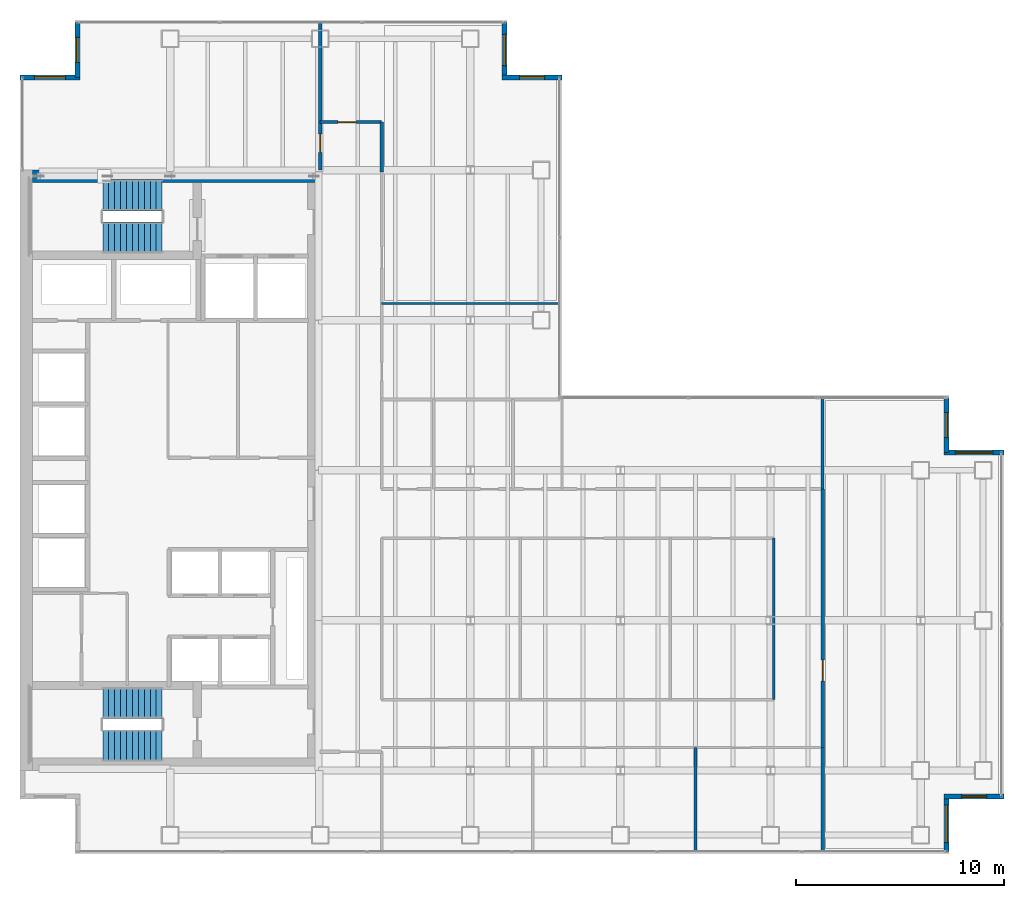
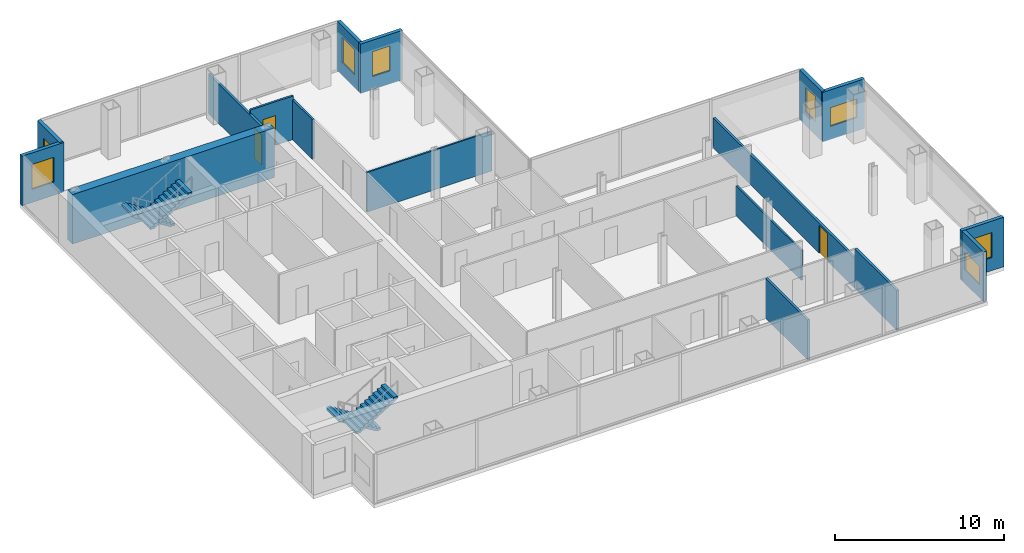
# One storey, part 22 of 24: 18 walls, 8 windows, 4 stair flights, 3 doors, 11 openings, 2 elements without a shape of their own.
"""IFC4 building model written with IfcOpenShell, lengths in metres."""

from ifc_helpers import new_model, si_unit, direction, frame, frame_2d, origin, place, context, subcontext, project, spatial, polyline, rectangle, outline, extrude, material, layer, layer_set, type_object, element, fill, aggregate, save


model = new_model("IFC4")

# Units and contexts
model_context = context("Model", 3, precision=1e-05, world=origin(), true_north=direction((0.0, 1.0)))
body_context = subcontext(model_context, "Body", "Model", "MODEL_VIEW")
ifc_project = project(units=[si_unit("LENGTHUNIT", "METRE"), si_unit("AREAUNIT", "SQUARE_METRE"), si_unit("VOLUMEUNIT", "CUBIC_METRE"), si_unit("PLANEANGLEUNIT", "RADIAN"), si_unit("MASSUNIT", "GRAM", prefix="KILO")], contexts=[model_context])

# Site, building, storey
site_placement = place(None, origin())
site = spatial("IfcSite", under=ifc_project, at=site_placement, CompositionType="ELEMENT")
building_placement = place(site_placement, origin())
building = spatial("IfcBuilding", under=site, at=building_placement, Name="Cobrela Telecom Tower", CompositionType="ELEMENT")
storey_placement = place(building_placement, frame((0.0, 0.0, 152.25)))
storey = spatial("IfcBuildingStorey", under=building, at=storey_placement, Name="L38", CompositionType="ELEMENT", Elevation=152.25)

# Wall
ifc_material_1 = material(Name="Concrete C50/60", Category="concrete")
ifc_layer_1 = layer(ifc_material_1, 0.60009765625)
ifc_layer_set_1 = layer_set([ifc_layer_1], Name="Concrete C50/60")
wall_type_1 = type_object("IfcWallType", Name="WALL-CORE-C50-600", PredefinedType="SHEAR", material=ifc_layer_set_1)
wall_1_placement = place(storey_placement, frame((0.60009765625, 35.699951171875, 0.0), z_axis=(0.0, 0.0, 1.0), x_axis=(1.0, 0.0, 0.0)))
element("IfcWall", 1, at=wall_1_placement, inside=storey, type_object=wall_type_1, Name="L38 North Core Shear Wall", PredefinedType="SHEAR", context=body_context, shape_type="SweptSolid", body=[
    extrude(rectangle(XDim=13.7998046875, YDim=0.60009765625, at=frame_2d((6.89990234375, 0.0))), origin(), (0.0, 0.0, 1.0), 3.580078125),
])

# Wall, opening, window
ifc_material_2 = material(Name="Concrete C40/50", Category="concrete")
ifc_layer_2 = layer(ifc_material_2, 0.239990234375)
ifc_layer_set_2 = layer_set([ifc_layer_2], Name="Concrete C40/50")
wall_type_2 = type_object("IfcWallType", Name="WALL-EXT-300", PredefinedType="STANDARD", material=ifc_layer_set_2)
wall_2_placement = place(storey_placement, frame((0.0, 40.449951171875, 0.0), z_axis=(0.0, 0.0, 1.0), x_axis=(1.0, 0.0, 0.0)))
wall_2 = element("IfcWall", 2, at=wall_2_placement, inside=storey, type_object=wall_type_2, Name="L38 Insulated Facade Wall 05", PredefinedType="STANDARD", context=body_context, shape_type="SweptSolid", body=[
    extrude(rectangle(XDim=2.8701171875, YDim=0.239990234375, at=frame_2d((1.43505859375, 0.0))), origin(), (0.0, 0.0, 1.0), 3.580078125),
])
opening_1_placement = place(wall_2_placement, frame((0.68505859375, 0.0, 0.949951171875)))
opening_1 = element("IfcOpeningElement", 3, at=opening_1_placement, cuts=wall_2, Name="Opening WN-45", PredefinedType="OPENING", context=body_context, shape_type="SweptSolid", body=[
    extrude(rectangle(XDim=1.5, YDim=1.800048828125, at=frame_2d((0.75, 0.89990234375))), frame((0.0, 0.1318359375, 0.0), z_axis=(0.0, -1.0, 0.0), x_axis=(1.0, 0.0, 0.0)), (0.0, 0.0, 1.0), 0.263916015625),
])
ifc_material_3 = material(Name="Solar-Control Bronze Low-E Glass", Category="glass")
window_type_1 = type_object("IfcWindowType", Name="WIN-MOD-1500", PartitioningType="SINGLE_PANEL", PredefinedType="WINDOW", material=ifc_material_3)
window_1_placement = place(opening_1_placement, origin())
window_1 = element("IfcWindow", 4, at=window_1_placement, inside=storey, type_object=window_type_1, Name="L38 Corner Notch Facade Window 182", OverallHeight=1.800048828125, OverallWidth=1.5, PartitioningType="SINGLE_PANEL", PredefinedType="WINDOW", context=body_context, shape_type="SweptSolid", body=[
    extrude(rectangle(XDim=1.5, YDim=1.800048828125, at=frame_2d((0.75, 0.89990234375))), frame((0.0, 0.030029296875, 0.0), z_axis=(0.0, -1.0, 0.0), x_axis=(1.0, 0.0, 0.0)), (0.0, 0.0, 1.0), 0.06005859375),
])
fill(opening_1, window_1)

wall_3_placement = place(storey_placement, frame((2.75, 40.449951171875, 0.0), z_axis=(0.0, 0.0, 1.0), x_axis=(0.0, 1.0, 0.0)))
wall_3 = element("IfcWall", 5, at=wall_3_placement, inside=storey, type_object=wall_type_2, Name="L38 Insulated Facade Wall 06", PredefinedType="STANDARD", context=body_context, shape_type="SweptSolid", body=[
    extrude(rectangle(XDim=2.630126953125, YDim=0.239990234375, at=frame_2d((1.31494140625, 0.0))), origin(), (0.0, 0.0, 1.0), 3.580078125),
])
opening_2_placement = place(wall_3_placement, frame((0.715087890625, 0.0, 0.949951171875)))
opening_2 = element("IfcOpeningElement", 6, at=opening_2_placement, cuts=wall_3, Name="Opening WN-19", PredefinedType="OPENING", context=body_context, shape_type="SweptSolid", body=[
    extrude(rectangle(XDim=1.199951171875, YDim=1.800048828125, at=frame_2d((0.60009765625, 0.89990234375))), frame((0.0, 0.1318359375, 0.0), z_axis=(0.0, -1.0, 0.0), x_axis=(1.0, 0.0, 0.0)), (0.0, 0.0, 1.0), 0.263916015625),
])
window_type_2 = type_object("IfcWindowType", Name="WIN-MOD-1200", PartitioningType="SINGLE_PANEL", PredefinedType="WINDOW", material=ifc_material_3)
window_2_placement = place(opening_2_placement, origin())
window_2 = element("IfcWindow", 7, at=window_2_placement, inside=storey, type_object=window_type_2, Name="L38 Corner Notch Facade Window 183", OverallHeight=1.800048828125, OverallWidth=1.199951171875, PartitioningType="SINGLE_PANEL", PredefinedType="WINDOW", context=body_context, shape_type="SweptSolid", body=[
    extrude(rectangle(XDim=1.199951171875, YDim=1.800048828125, at=frame_2d((0.60009765625, 0.89990234375))), frame((0.0, 0.030029296875, 0.0), z_axis=(0.0, -1.0, 0.0), x_axis=(1.0, 0.0, 0.0)), (0.0, 0.0, 1.0), 0.06005859375),
])
fill(opening_2, window_2)

wall_4_placement = place(storey_placement, frame((23.25, 43.080078125, 0.0), z_axis=(0.0, 0.0, 1.0), x_axis=(0.0, -1.0, 0.0)))
wall_4 = element("IfcWall", 8, at=wall_4_placement, inside=storey, type_object=wall_type_2, Name="L38 Insulated Facade Wall 08", PredefinedType="STANDARD", context=body_context, shape_type="SweptSolid", body=[
    extrude(rectangle(XDim=2.630126953125, YDim=0.239990234375, at=frame_2d((1.31494140625, 0.0))), origin(), (0.0, 0.0, 1.0), 3.580078125),
])
opening_3_placement = place(wall_4_placement, frame((0.56494140625, 0.0, 0.949951171875)))
opening_3 = element("IfcOpeningElement", 9, at=opening_3_placement, cuts=wall_4, Name="Opening WN-45", PredefinedType="OPENING", context=body_context, shape_type="SweptSolid", body=[
    extrude(rectangle(XDim=1.5, YDim=1.800048828125, at=frame_2d((0.75, 0.89990234375))), frame((0.0, 0.1318359375, 0.0), z_axis=(0.0, -1.0, 0.0), x_axis=(1.0, 0.0, 0.0)), (0.0, 0.0, 1.0), 0.263916015625),
])
window_3_placement = place(opening_3_placement, origin())
window_3 = element("IfcWindow", 10, at=window_3_placement, inside=storey, type_object=window_type_1, Name="L38 Corner Notch Facade Window 184", OverallHeight=1.800048828125, OverallWidth=1.5, PartitioningType="SINGLE_PANEL", PredefinedType="WINDOW", context=body_context, shape_type="SweptSolid", body=[
    extrude(rectangle(XDim=1.5, YDim=1.800048828125, at=frame_2d((0.75, 0.89990234375))), frame((0.0, 0.030029296875, 0.0), z_axis=(0.0, -1.0, 0.0), x_axis=(1.0, 0.0, 0.0)), (0.0, 0.0, 1.0), 0.06005859375),
])
fill(opening_3, window_3)

wall_5_placement = place(storey_placement, frame((23.1298828125, 40.449951171875, 0.0), z_axis=(0.0, 0.0, 1.0), x_axis=(1.0, 0.0, 0.0)))
wall_5 = element("IfcWall", 11, at=wall_5_placement, inside=storey, type_object=wall_type_2, Name="L38 Insulated Facade Wall 09", PredefinedType="STANDARD", context=body_context, shape_type="SweptSolid", body=[
    extrude(rectangle(XDim=2.8701171875, YDim=0.239990234375, at=frame_2d((1.43505859375, 0.0))), origin(), (0.0, 0.0, 1.0), 3.580078125),
])
opening_4_placement = place(wall_5_placement, frame((0.8349609375, 0.0, 0.949951171875)))
opening_4 = element("IfcOpeningElement", 12, at=opening_4_placement, cuts=wall_5, Name="Opening WN-19", PredefinedType="OPENING", context=body_context, shape_type="SweptSolid", body=[
    extrude(rectangle(XDim=1.199951171875, YDim=1.800048828125, at=frame_2d((0.60009765625, 0.89990234375))), frame((0.0, 0.1318359375, 0.0), z_axis=(0.0, -1.0, 0.0), x_axis=(1.0, 0.0, 0.0)), (0.0, 0.0, 1.0), 0.263916015625),
])
window_4_placement = place(opening_4_placement, origin())
window_4 = element("IfcWindow", 13, at=window_4_placement, inside=storey, type_object=window_type_2, Name="L38 Corner Notch Facade Window 185", OverallHeight=1.800048828125, OverallWidth=1.199951171875, PartitioningType="SINGLE_PANEL", PredefinedType="WINDOW", context=body_context, shape_type="SweptSolid", body=[
    extrude(rectangle(XDim=1.199951171875, YDim=1.800048828125, at=frame_2d((0.60009765625, 0.89990234375))), frame((0.0, 0.030029296875, 0.0), z_axis=(0.0, -1.0, 0.0), x_axis=(1.0, 0.0, 0.0)), (0.0, 0.0, 1.0), 0.06005859375),
])
fill(opening_4, window_4)

wall_6_placement = place(storey_placement, frame((44.449951171875, 25.080078125, 0.0), z_axis=(0.0, 0.0, 1.0), x_axis=(0.0, -1.0, 0.0)))
wall_6 = element("IfcWall", 14, at=wall_6_placement, inside=storey, type_object=wall_type_2, Name="L38 Insulated Facade Wall 12", PredefinedType="STANDARD", context=body_context, shape_type="SweptSolid", body=[
    extrude(rectangle(XDim=2.630126953125, YDim=0.239990234375, at=frame_2d((1.31494140625, 0.0))), origin(), (0.0, 0.0, 1.0), 3.580078125),
])
opening_5_placement = place(wall_6_placement, frame((0.715087890625, 0.0, 0.949951171875)))
opening_5 = element("IfcOpeningElement", 15, at=opening_5_placement, cuts=wall_6, Name="Opening WN-19", PredefinedType="OPENING", context=body_context, shape_type="SweptSolid", body=[
    extrude(rectangle(XDim=1.199951171875, YDim=1.800048828125, at=frame_2d((0.60009765625, 0.89990234375))), frame((0.0, 0.1318359375, 0.0), z_axis=(0.0, -1.0, 0.0), x_axis=(1.0, 0.0, 0.0)), (0.0, 0.0, 1.0), 0.263916015625),
])
window_5_placement = place(opening_5_placement, origin())
window_5 = element("IfcWindow", 16, at=window_5_placement, inside=storey, type_object=window_type_2, Name="L38 Corner Notch Facade Window 186", OverallHeight=1.800048828125, OverallWidth=1.199951171875, PartitioningType="SINGLE_PANEL", PredefinedType="WINDOW", context=body_context, shape_type="SweptSolid", body=[
    extrude(rectangle(XDim=1.199951171875, YDim=1.800048828125, at=frame_2d((0.60009765625, 0.89990234375))), frame((0.0, 0.030029296875, 0.0), z_axis=(0.0, -1.0, 0.0), x_axis=(1.0, 0.0, 0.0)), (0.0, 0.0, 1.0), 0.06005859375),
])
fill(opening_5, window_5)

wall_7_placement = place(storey_placement, frame((44.330078125, 22.449951171875, 0.0), z_axis=(0.0, 0.0, 1.0), x_axis=(1.0, 0.0, 0.0)))
wall_7 = element("IfcWall", 17, at=wall_7_placement, inside=storey, type_object=wall_type_2, Name="L38 Insulated Facade Wall 13", PredefinedType="STANDARD", context=body_context, shape_type="SweptSolid", body=[
    extrude(rectangle(XDim=2.869873046875, YDim=0.239990234375, at=frame_2d((1.43505859375, 0.0))), origin(), (0.0, 0.0, 1.0), 3.580078125),
])
opening_6_placement = place(wall_7_placement, frame((0.534912109375, 0.0, 0.949951171875)))
opening_6 = element("IfcOpeningElement", 18, at=opening_6_placement, cuts=wall_7, Name="Opening WN-27", PredefinedType="OPENING", context=body_context, shape_type="SweptSolid", body=[
    extrude(rectangle(XDim=1.800048828125, YDim=1.35009765625, at=frame_2d((0.89990234375, 0.675048828125))), frame((0.0, 0.1318359375, 0.0), z_axis=(0.0, -1.0, 0.0), x_axis=(1.0, 0.0, 0.0)), (0.0, 0.0, 1.0), 0.263916015625),
])
window_type_3 = type_object("IfcWindowType", Name="WIN-CLER-1800", PartitioningType="SINGLE_PANEL", PredefinedType="WINDOW", material=ifc_material_3)
window_6_placement = place(opening_6_placement, origin())
window_6 = element("IfcWindow", 19, at=window_6_placement, inside=storey, type_object=window_type_3, Name="L38 Corner Notch Facade Window 187", OverallHeight=1.35009765625, OverallWidth=1.800048828125, PartitioningType="SINGLE_PANEL", PredefinedType="WINDOW", context=body_context, shape_type="SweptSolid", body=[
    extrude(rectangle(XDim=1.800048828125, YDim=1.35009765625, at=frame_2d((0.89990234375, 0.675048828125))), frame((0.0, 0.030029296875, 0.0), z_axis=(0.0, -1.0, 0.0), x_axis=(1.0, 0.0, 0.0)), (0.0, 0.0, 1.0), 0.06005859375),
])
fill(opening_6, window_6)

wall_8_placement = place(storey_placement, frame((47.199951171875, 5.949951171875, 0.0), z_axis=(0.0, 0.0, 1.0), x_axis=(-1.0, 0.0, 0.0)))
wall_8 = element("IfcWall", 20, at=wall_8_placement, inside=storey, type_object=wall_type_2, Name="L38 Insulated Facade Wall 15", PredefinedType="STANDARD", context=body_context, shape_type="SweptSolid", body=[
    extrude(rectangle(XDim=2.869873046875, YDim=0.239990234375, at=frame_2d((1.43505859375, 0.0))), origin(), (0.0, 0.0, 1.0), 3.580078125),
])
opening_7_placement = place(wall_8_placement, frame((0.8349609375, 0.0, 0.949951171875)))
opening_7 = element("IfcOpeningElement", 21, at=opening_7_placement, cuts=wall_8, Name="Opening WN-19", PredefinedType="OPENING", context=body_context, shape_type="SweptSolid", body=[
    extrude(rectangle(XDim=1.199951171875, YDim=1.800048828125, at=frame_2d((0.60009765625, 0.89990234375))), frame((0.0, 0.1318359375, 0.0), z_axis=(0.0, -1.0, 0.0), x_axis=(1.0, 0.0, 0.0)), (0.0, 0.0, 1.0), 0.263916015625),
])
window_7_placement = place(opening_7_placement, origin())
window_7 = element("IfcWindow", 22, at=window_7_placement, inside=storey, type_object=window_type_2, Name="L38 Corner Notch Facade Window 188", OverallHeight=1.800048828125, OverallWidth=1.199951171875, PartitioningType="SINGLE_PANEL", PredefinedType="WINDOW", context=body_context, shape_type="SweptSolid", body=[
    extrude(rectangle(XDim=1.199951171875, YDim=1.800048828125, at=frame_2d((0.60009765625, 0.89990234375))), frame((0.0, 0.030029296875, 0.0), z_axis=(0.0, -1.0, 0.0), x_axis=(1.0, 0.0, 0.0)), (0.0, 0.0, 1.0), 0.06005859375),
])
fill(opening_7, window_7)

wall_9_placement = place(storey_placement, frame((44.449951171875, 5.949951171875, 0.0), z_axis=(0.0, 0.0, 1.0), x_axis=(0.0, -1.0, 0.0)))
wall_9 = element("IfcWall", 23, at=wall_9_placement, inside=storey, type_object=wall_type_2, Name="L38 Insulated Facade Wall 16", PredefinedType="STANDARD", context=body_context, shape_type="SweptSolid", body=[
    extrude(rectangle(XDim=2.6298828125, YDim=0.239990234375, at=frame_2d((1.31494140625, 0.0))), origin(), (0.0, 0.0, 1.0), 3.580078125),
])
opening_8_placement = place(wall_9_placement, frame((0.4150390625, 0.0, 0.949951171875)))
opening_8 = element("IfcOpeningElement", 24, at=opening_8_placement, cuts=wall_9, Name="Opening WN-27", PredefinedType="OPENING", context=body_context, shape_type="SweptSolid", body=[
    extrude(rectangle(XDim=1.800048828125, YDim=1.35009765625, at=frame_2d((0.89990234375, 0.675048828125))), frame((0.0, 0.1318359375, 0.0), z_axis=(0.0, -1.0, 0.0), x_axis=(1.0, 0.0, 0.0)), (0.0, 0.0, 1.0), 0.263916015625),
])
window_8_placement = place(opening_8_placement, origin())
window_8 = element("IfcWindow", 25, at=window_8_placement, inside=storey, type_object=window_type_3, Name="L38 Corner Notch Facade Window 189", OverallHeight=1.35009765625, OverallWidth=1.800048828125, PartitioningType="SINGLE_PANEL", PredefinedType="WINDOW", context=body_context, shape_type="SweptSolid", body=[
    extrude(rectangle(XDim=1.800048828125, YDim=1.35009765625, at=frame_2d((0.89990234375, 0.675048828125))), frame((0.0, 0.030029296875, 0.0), z_axis=(0.0, -1.0, 0.0), x_axis=(1.0, 0.0, 0.0)), (0.0, 0.0, 1.0), 0.06005859375),
])
fill(opening_8, window_8)

# Walls
ifc_material_4 = material(Name="Fire-Rated Gypsum Plasterboard")
ifc_layer_3 = layer(ifc_material_4, 0.110107421875)
ifc_layer_set_3 = layer_set([ifc_layer_3], Name="Fire-Rated Gypsum Plasterboard")
wall_type_3 = type_object("IfcWallType", Name="WALL-PART-110", PredefinedType="PARTITIONING", material=ifc_layer_set_3)
wall_10_placement = place(storey_placement, frame((17.35009765625, 29.60009765625, 0.0), z_axis=(0.0, 0.0, 1.0), x_axis=(1.0, 0.0, 0.0)))
element("IfcWall", 26, at=wall_10_placement, inside=storey, type_object=wall_type_3, Name="L38 Interior Partition W-NPAN-N", PredefinedType="PARTITIONING", context=body_context, shape_type="SweptSolid", body=[
    extrude(rectangle(XDim=8.52978515625, YDim=0.110107421875, at=frame_2d((4.264892578125, 0.0))), origin(), (0.0, 0.0, 1.0), 2.868896484375),
])
ifc_layer_4 = layer(ifc_material_4, 0.125)
ifc_layer_set_4 = layer_set([ifc_layer_4], Name="Fire-Rated Gypsum Plasterboard")
wall_type_4 = type_object("IfcWallType", Name="WALL-PART-125", PredefinedType="PARTITIONING", material=ifc_layer_set_4)
wall_11_placement = place(storey_placement, frame((36.14990234375, 10.60009765625, 0.0), z_axis=(0.0, 0.0, 1.0), x_axis=(0.0, 1.0, 0.0)))
element("IfcWall", 27, at=wall_11_placement, inside=storey, type_object=wall_type_4, Name="L38 Interior Partition W-ISL-E", PredefinedType="PARTITIONING", context=body_context, shape_type="SweptSolid", body=[
    extrude(rectangle(XDim=7.75, YDim=0.125, at=frame_2d((3.875, 0.0))), origin(), (0.0, 0.0, 1.0), 2.1650390625),
])

# Wall, opening, door
ifc_layer_5 = layer(ifc_material_4, 0.135009765625)
ifc_layer_set_5 = layer_set([ifc_layer_5], Name="Fire-Rated Gypsum Plasterboard")
wall_type_5 = type_object("IfcWallType", Name="WALL-PART-135", PredefinedType="PARTITIONING", material=ifc_layer_set_5)
wall_12_placement = place(storey_placement, frame((14.39990234375, 38.300048828125, 0.0), z_axis=(0.0, 0.0, 1.0), x_axis=(1.0, 0.0, 0.0)))
wall_12 = element("IfcWall", 28, at=wall_12_placement, inside=storey, type_object=wall_type_5, Name="L38 Interior Partition W-UWN-T", PredefinedType="PARTITIONING", context=body_context, shape_type="SweptSolid", body=[
    extrude(rectangle(XDim=2.9501953125, YDim=0.135009765625, at=frame_2d((1.47509765625, 0.0))), origin(), (0.0, 0.0, 1.0), 3.14794921875),
])
opening_9_placement = place(wall_12_placement, frame((0.85009765625, 0.0, 0.0)))
opening_9 = element("IfcOpeningElement", 29, at=opening_9_placement, cuts=wall_12, Name="Opening DR-39", PredefinedType="OPENING", context=body_context, shape_type="SweptSolid", body=[
    extrude(rectangle(XDim=0.8798828125, YDim=2.14990234375, at=frame_2d((0.43994140625, 1.074951171875))), frame((0.0, 0.07958984375, 0.0), z_axis=(0.0, -1.0, 0.0), x_axis=(1.0, 0.0, 0.0)), (0.0, 0.0, 1.0), 0.158935546875),
])
ifc_material_5 = material(Name="Solid Engineered Oak Timber", Category="wood")
door_type_1 = type_object("IfcDoorType", Name="DOOR-INT-880", OperationType="SINGLE_SWING_LEFT", PredefinedType="DOOR", material=ifc_material_5)
door_1_placement = place(opening_9_placement, origin())
door_1 = element("IfcDoor", 30, at=door_1_placement, inside=storey, type_object=door_type_1, Name="L38 Door DR-39", OperationType="SINGLE_SWING_RIGHT", OverallHeight=2.14990234375, OverallWidth=0.8798828125, PredefinedType="DOOR", context=body_context, shape_type="SweptSolid", body=[
    extrude(rectangle(XDim=0.8798828125, YDim=2.14990234375, at=frame_2d((0.43994140625, 1.074951171875))), frame((0.0, 0.02490234375, 0.0), z_axis=(0.0, -1.0, 0.0), x_axis=(1.0, 0.0, 0.0)), (0.0, 0.0, 1.0), 0.050048828125),
])
fill(opening_9, door_1)

# Walls
ifc_layer_6 = layer(ifc_material_4, 0.14990234375)
ifc_layer_set_6 = layer_set([ifc_layer_6], Name="Fire-Rated Gypsum Plasterboard")
wall_type_6 = type_object("IfcWallType", Name="WALL-PART-150", PredefinedType="PARTITIONING", material=ifc_layer_set_6)
wall_13_placement = place(storey_placement, frame((17.35009765625, 35.89990234375, 0.0), z_axis=(0.0, 0.0, 1.0), x_axis=(0.0, 1.0, 0.0)))
element("IfcWall", 31, at=wall_13_placement, inside=storey, type_object=wall_type_6, Name="L38 Interior Partition W-UWN-E", PredefinedType="PARTITIONING", context=body_context, shape_type="SweptSolid", body=[
    extrude(rectangle(XDim=2.400146484375, YDim=0.14990234375, at=frame_2d((1.2001953125, 0.0))), origin(), (0.0, 0.0, 1.0), 2.868896484375),
])
wall_14_placement = place(storey_placement, frame((38.5, 20.699951171875, 0.0), z_axis=(0.0, 0.0, 1.0), x_axis=(0.0, 1.0, 0.0)))
element("IfcWall", 32, at=wall_14_placement, inside=storey, type_object=wall_type_6, Name="L38 Interior Partition W-UFE-N", PredefinedType="PARTITIONING", context=body_context, shape_type="SweptSolid", body=[
    extrude(rectangle(XDim=4.380126953125, YDim=0.14990234375, at=frame_2d((2.18994140625, 0.0))), origin(), (0.0, 0.0, 1.0), 2.1650390625),
])

# Wall, opening, door
ifc_layer_7 = layer(ifc_material_4, 0.159912109375)
ifc_layer_set_7 = layer_set([ifc_layer_7], Name="Fire-Rated Gypsum Plasterboard")
wall_type_7 = type_object("IfcWallType", Name="WALL-PART-160", PredefinedType="PARTITIONING", material=ifc_layer_set_7)
wall_15_placement = place(storey_placement, frame((38.5, 8.300048828125, 0.0), z_axis=(0.0, 0.0, 1.0), x_axis=(0.0, 1.0, 0.0)))
wall_15 = element("IfcWall", 33, at=wall_15_placement, inside=storey, type_object=wall_type_7, Name="L38 Interior Partition W-UE-E", PredefinedType="PARTITIONING", context=body_context, shape_type="SweptSolid", body=[
    extrude(rectangle(XDim=12.39990234375, YDim=0.159912109375, at=frame_2d((6.199951171875, 0.0))), origin(), (0.0, 0.0, 1.0), 2.1650390625),
])
opening_10_placement = place(wall_15_placement, frame((3.199951171875, 0.0, 0.0)))
opening_10 = element("IfcOpeningElement", 34, at=opening_10_placement, cuts=wall_15, Name="Opening DR-57", PredefinedType="OPENING", context=body_context, shape_type="SweptSolid", body=[
    extrude(rectangle(XDim=1.0, YDim=2.02001953125, at=frame_2d((0.5, 1.010009765625))), frame((0.0, 0.091796875, 0.0), z_axis=(0.0, -1.0, 0.0), x_axis=(1.0, 0.0, 0.0)), (0.0, 0.0, 1.0), 0.183837890625),
])
ifc_material_6 = material(Name="Steel ASTM A36", Category="steel")
door_type_2 = type_object("IfcDoorType", Name="DOOR-LOW-1000", OperationType="SINGLE_SWING_LEFT", PredefinedType="DOOR", material=ifc_material_6)
door_2_placement = place(opening_10_placement, origin())
door_2 = element("IfcDoor", 35, at=door_2_placement, inside=storey, type_object=door_type_2, Name="L38 Door DR-57", OperationType="SINGLE_SWING_LEFT", OverallHeight=2.02001953125, OverallWidth=1.0, PredefinedType="DOOR", context=body_context, shape_type="SweptSolid", body=[
    extrude(rectangle(XDim=1.0, YDim=2.02001953125, at=frame_2d((0.5, 1.010009765625))), frame((0.0, 0.02490234375, 0.0), z_axis=(0.0, -1.0, 0.0), x_axis=(1.0, 0.0, 0.0)), (0.0, 0.0, 1.0), 0.050048828125),
])
fill(opening_10, door_2)

wall_16_placement = place(storey_placement, frame((14.39990234375, 36.0, 0.0), z_axis=(0.0, 0.0, 1.0), x_axis=(0.0, 1.0, 0.0)))
wall_16 = element("IfcWall", 36, at=wall_16_placement, inside=storey, type_object=wall_type_7, Name="L38 Interior Partition W-UWN-W", PredefinedType="PARTITIONING", context=body_context, shape_type="SweptSolid", body=[
    extrude(rectangle(XDim=7.080078125, YDim=0.159912109375, at=frame_2d((3.5400390625, 0.0))), origin(), (0.0, 0.0, 1.0), 2.868896484375),
])
opening_11_placement = place(wall_16_placement, frame((0.85009765625, 0.0, 0.0)))
opening_11 = element("IfcOpeningElement", 37, at=opening_11_placement, cuts=wall_16, Name="Opening DR-39", PredefinedType="OPENING", context=body_context, shape_type="SweptSolid", body=[
    extrude(rectangle(XDim=0.8798828125, YDim=2.14990234375, at=frame_2d((0.43994140625, 1.074951171875))), frame((0.0, 0.091796875, 0.0), z_axis=(0.0, -1.0, 0.0), x_axis=(1.0, 0.0, 0.0)), (0.0, 0.0, 1.0), 0.183837890625),
])
door_3_placement = place(opening_11_placement, origin())
door_3 = element("IfcDoor", 38, at=door_3_placement, inside=storey, type_object=door_type_1, Name="L38 Door DR-39", OperationType="SINGLE_SWING_LEFT", OverallHeight=2.14990234375, OverallWidth=0.8798828125, PredefinedType="DOOR", context=body_context, shape_type="SweptSolid", body=[
    extrude(rectangle(XDim=0.8798828125, YDim=2.14990234375, at=frame_2d((0.43994140625, 1.074951171875))), frame((0.0, 0.02490234375, 0.0), z_axis=(0.0, -1.0, 0.0), x_axis=(1.0, 0.0, 0.0)), (0.0, 0.0, 1.0), 0.050048828125),
])
fill(opening_11, door_3)

# Walls
for number, where, z_axis, x_axis, name in (
    (39, (38.5, 3.320068359375, 0.0), (0.0, 0.0, 1.0), (0.0, 1.0, 0.0), "L38 Interior Partition W-UFE-S"),
    (40, (32.39990234375, 3.320068359375, 0.0), (0.0, 0.0, 1.0), (0.0, 1.0, 0.0), "L38 Interior Partition W-USV-2"),
):
    element("IfcWall", number, at=place(storey_placement, frame(where, z_axis=z_axis, x_axis=x_axis)), inside=storey, type_object=wall_type_7, Name=name, PredefinedType="PARTITIONING", context=body_context, shape_type="SweptSolid", body=[
        extrude(rectangle(XDim=4.97998046875, YDim=0.159912109375, at=frame_2d((2.489990234375, 0.0))), origin(), (0.0, 0.0, 1.0), 2.868896484375),
    ])

# Stair, stair flights
stair_type = type_object("IfcStairType", Name="STAIR-CORE", PredefinedType="HALF_TURN_STAIR", material=ifc_material_2)
stair_1_placement = place(storey_placement, origin())
stair_1 = element("IfcStair", 41, at=stair_1_placement, inside=storey, type_object=stair_type, Name="L38 Smokeproof Exit Stair ST1", PredefinedType="HALF_TURN_STAIR")
stair_flight_type = type_object("IfcStairFlightType", Name="FLIGHT-CORE", PredefinedType="STRAIGHT", material=ifc_material_2)
stair_flight_1_placement = place(storey_placement, frame((6.820068359375, 34.800048828125, 0.0), z_axis=(0.0, 0.0, 1.0), x_axis=(-1.0, 0.0, 0.0)))
stair_flight_1 = element("IfcStairFlight", 42, at=stair_flight_1_placement, type_object=stair_flight_type, Name="ST1 flight 1", NumberOfRisers=11, NumberOfTreads=10, PredefinedType="STRAIGHT", RiserHeight=0.175, TreadLength=0.285, context=body_context, shape_type="SweptSolid", body=[
    extrude(outline(polyline([(0.0, 0.0), (0.0, 0.175048828125), (0.284912109375, 0.175048828125), (0.284912109375, 0.35009765625), (0.570068359375, 0.35009765625), (0.570068359375, 0.52490234375), (0.85498046875, 0.52490234375), (0.85498046875, 0.699951171875), (1.139892578125, 0.699951171875), (1.139892578125, 0.875), (1.425048828125, 0.875), (1.425048828125, 1.050048828125), (1.7099609375, 1.050048828125), (1.7099609375, 1.22509765625), (1.9951171875, 1.22509765625), (1.9951171875, 1.39990234375), (2.280029296875, 1.39990234375), (2.280029296875, 1.574951171875), (2.56494140625, 1.574951171875), (2.56494140625, 1.75), (2.85009765625, 1.75), (2.85009765625, 1.925048828125), (2.85009765625, 1.573974609375), (0.286376953125, 0.0), (0.0, 0.0)])), frame((0.0, 0.75, 0.0), z_axis=(0.0, -1.0, 0.0), x_axis=(1.0, 0.0, 0.0)), (0.0, 0.0, 1.0), 1.5),
])
stair_flight_2_placement = place(storey_placement, frame((3.969970703125, 32.75, 1.925048828125), z_axis=(0.0, 0.0, 1.0), x_axis=(1.0, 0.0, 0.0)))
stair_flight_2 = element("IfcStairFlight", 43, at=stair_flight_2_placement, type_object=stair_flight_type, Name="ST1 flight 2", NumberOfRisers=11, NumberOfTreads=10, PredefinedType="STRAIGHT", RiserHeight=0.175, TreadLength=0.285, context=body_context, shape_type="SweptSolid", body=[
    extrude(outline(polyline([(0.0, 0.0), (0.0, 0.175048828125), (0.284912109375, 0.175048828125), (0.284912109375, 0.35009765625), (0.570068359375, 0.35009765625), (0.570068359375, 0.52490234375), (0.85498046875, 0.52490234375), (0.85498046875, 0.699951171875), (1.139892578125, 0.699951171875), (1.139892578125, 0.875), (1.425048828125, 0.875), (1.425048828125, 1.050048828125), (1.7099609375, 1.050048828125), (1.7099609375, 1.22509765625), (1.9951171875, 1.22509765625), (1.9951171875, 1.39990234375), (2.280029296875, 1.39990234375), (2.280029296875, 1.574951171875), (2.56494140625, 1.574951171875), (2.56494140625, 1.75), (2.85009765625, 1.75), (2.85009765625, 1.925048828125), (2.85009765625, 1.573974609375), (0.286376953125, 0.0), (0.0, 0.0)])), frame((0.0, 0.75, 0.0), z_axis=(0.0, -1.0, 0.0), x_axis=(1.0, 0.0, 0.0)), (0.0, 0.0, 1.0), 1.5),
])
aggregate(stair_1, [stair_flight_1, stair_flight_2])

stair_2_placement = place(storey_placement, origin())
stair_2 = element("IfcStair", 44, at=stair_2_placement, inside=storey, type_object=stair_type, Name="L38 Smokeproof Exit Stair ST2", PredefinedType="HALF_TURN_STAIR")
stair_flight_3_placement = place(storey_placement, frame((6.820068359375, 10.449951171875, 0.0), z_axis=(0.0, 0.0, 1.0), x_axis=(-1.0, 0.0, 0.0)))
stair_flight_3 = element("IfcStairFlight", 45, at=stair_flight_3_placement, type_object=stair_flight_type, Name="ST2 flight 1", NumberOfRisers=11, NumberOfTreads=10, PredefinedType="STRAIGHT", RiserHeight=0.175, TreadLength=0.285, context=body_context, shape_type="SweptSolid", body=[
    extrude(outline(polyline([(0.0, 0.0), (0.0, 0.175048828125), (0.284912109375, 0.175048828125), (0.284912109375, 0.35009765625), (0.570068359375, 0.35009765625), (0.570068359375, 0.52490234375), (0.85498046875, 0.52490234375), (0.85498046875, 0.699951171875), (1.139892578125, 0.699951171875), (1.139892578125, 0.875), (1.425048828125, 0.875), (1.425048828125, 1.050048828125), (1.7099609375, 1.050048828125), (1.7099609375, 1.22509765625), (1.9951171875, 1.22509765625), (1.9951171875, 1.39990234375), (2.280029296875, 1.39990234375), (2.280029296875, 1.574951171875), (2.56494140625, 1.574951171875), (2.56494140625, 1.75), (2.85009765625, 1.75), (2.85009765625, 1.925048828125), (2.85009765625, 1.573974609375), (0.286376953125, 0.0), (0.0, 0.0)])), frame((0.0, 0.75, 0.0), z_axis=(0.0, -1.0, 0.0), x_axis=(1.0, 0.0, 0.0)), (0.0, 0.0, 1.0), 1.5),
])
stair_flight_4_placement = place(storey_placement, frame((3.969970703125, 8.39990234375, 1.925048828125), z_axis=(0.0, 0.0, 1.0), x_axis=(1.0, 0.0, 0.0)))
stair_flight_4 = element("IfcStairFlight", 46, at=stair_flight_4_placement, type_object=stair_flight_type, Name="ST2 flight 2", NumberOfRisers=11, NumberOfTreads=10, PredefinedType="STRAIGHT", RiserHeight=0.175, TreadLength=0.285, context=body_context, shape_type="SweptSolid", body=[
    extrude(outline(polyline([(0.0, 0.0), (0.0, 0.175048828125), (0.284912109375, 0.175048828125), (0.284912109375, 0.35009765625), (0.570068359375, 0.35009765625), (0.570068359375, 0.52490234375), (0.85498046875, 0.52490234375), (0.85498046875, 0.699951171875), (1.139892578125, 0.699951171875), (1.139892578125, 0.875), (1.425048828125, 0.875), (1.425048828125, 1.050048828125), (1.7099609375, 1.050048828125), (1.7099609375, 1.22509765625), (1.9951171875, 1.22509765625), (1.9951171875, 1.39990234375), (2.280029296875, 1.39990234375), (2.280029296875, 1.574951171875), (2.56494140625, 1.574951171875), (2.56494140625, 1.75), (2.85009765625, 1.75), (2.85009765625, 1.925048828125), (2.85009765625, 1.573974609375), (0.286376953125, 0.0), (0.0, 0.0)])), frame((0.0, 0.75, 0.0), z_axis=(0.0, -1.0, 0.0), x_axis=(1.0, 0.0, 0.0)), (0.0, 0.0, 1.0), 1.5),
])
aggregate(stair_2, [stair_flight_3, stair_flight_4])

save(model, "model.ifc")
